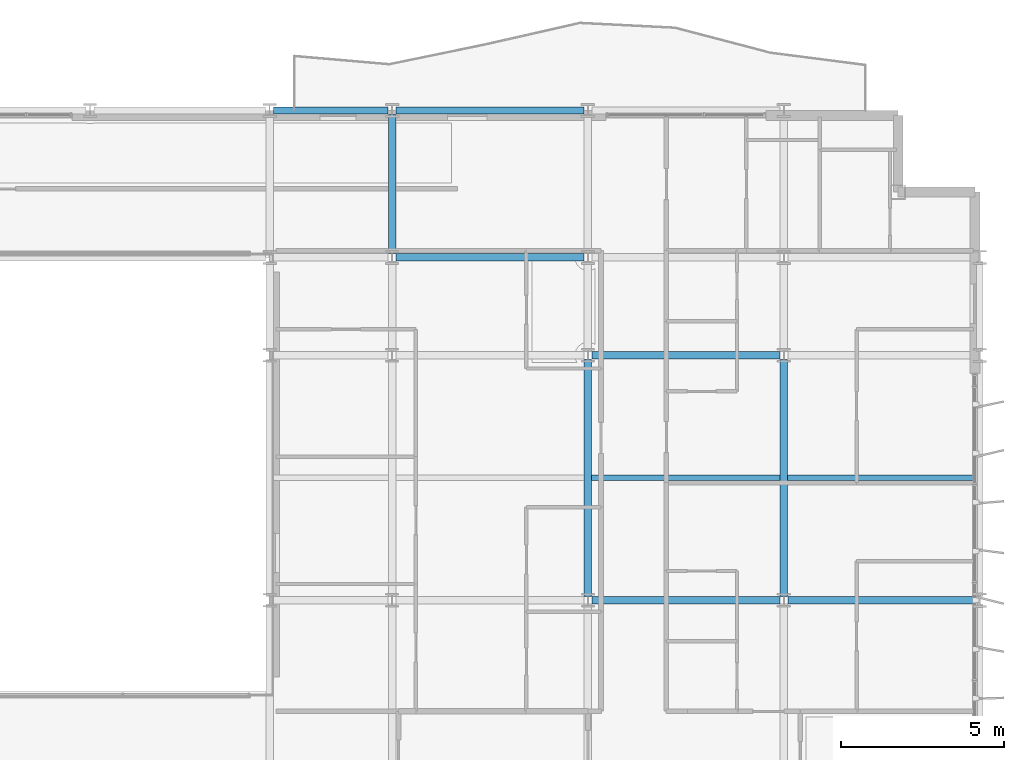
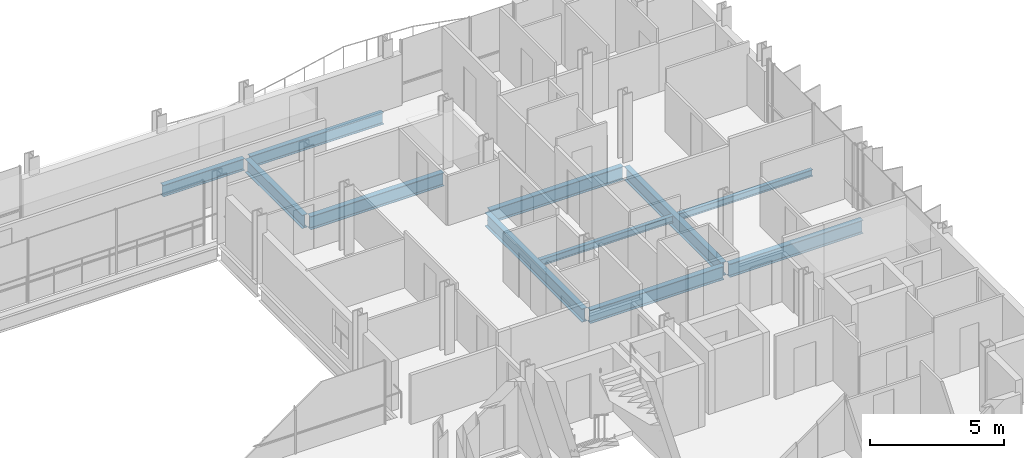
# One storey, part 18 of 39: 11 beams.
"""IFC4 building model written with IfcOpenShell, lengths in metres."""

from ifc_helpers import new_model, si_unit, direction, frame, origin, origin_2d, place, context, subcontext, project, spatial, i_section, extrude, material, material_profile, profile_set, type_object, element, save


model = new_model("IFC4")

# Units and contexts
model_context = context("Model", 3, precision=1e-05, world=origin(), true_north=direction((0.0, 1.0)))
body_context = subcontext(model_context, "Body", "Model", "MODEL_VIEW")
ifc_project = project(units=[si_unit("LENGTHUNIT", "METRE"), si_unit("AREAUNIT", "SQUARE_METRE"), si_unit("VOLUMEUNIT", "CUBIC_METRE"), si_unit("PLANEANGLEUNIT", "RADIAN"), si_unit("MASSUNIT", "GRAM", prefix="KILO")], contexts=[model_context])

# Site, building, storey
site_placement = place(None, origin())
site = spatial("IfcSite", under=ifc_project, at=site_placement, CompositionType="ELEMENT")
building_placement = place(site_placement, origin())
building = spatial("IfcBuilding", under=site, at=building_placement, Name="Brevholm Reach", CompositionType="ELEMENT")
storey_placement = place(building_placement, frame((0.0, 0.0, 109.699951171875)))
storey = spatial("IfcBuildingStorey", under=building, at=storey_placement, Name="L32", CompositionType="ELEMENT", Elevation=109.699951171875)

# Beams
ifc_material_1 = material(Name="Structural Steel S355J2", Category="steel")
ifc_material_profile_1 = material_profile(ifc_material_1, i_section(OverallWidth=0.1650390625, OverallDepth=0.303466796875, WebThickness=0.006103515625, FlangeThickness=0.01025390625, FilletRadius=0.0087890625, at=origin_2d()), Name="UKB 305x165x40")
ifc_profile_set_1 = profile_set([ifc_material_profile_1], Name="Structural Steel S355J2")
beam_type_1 = type_object("IfcBeamType", Name="BM-B305", PredefinedType="BEAM", material=ifc_profile_set_1)
beam_1_placement = place(storey_placement, frame((48.114501953125, 19.75, -0.37158203125), z_axis=(1.0, 0.0, 0.0), x_axis=(0.0, 1.0, 0.0)))
element("IfcBeam", 1, at=beam_1_placement, inside=storey, type_object=beam_type_1, Name="L32 Composite Secondary Floor Beam", PredefinedType="BEAM", context=body_context, shape_type="SweptSolid", body=[
    extrude(i_section(OverallWidth=0.1650390625, OverallDepth=0.303466796875, WebThickness=0.006103515625, FlangeThickness=0.01025390625, FilletRadius=0.0087890625, at=origin_2d()), origin(), (0.0, 0.0, 1.0), 5.77099609375),
])
beam_2_placement = place(storey_placement, frame((54.114501953125, 19.75, -0.37158203125), z_axis=(1.0, 0.0, 0.0), x_axis=(0.0, 1.0, 0.0)))
element("IfcBeam", 2, at=beam_2_placement, inside=storey, type_object=beam_type_1, Name="L32 Composite Secondary Floor Beam", PredefinedType="BEAM", context=body_context, shape_type="SweptSolid", body=[
    extrude(i_section(OverallWidth=0.1650390625, OverallDepth=0.303466796875, WebThickness=0.006103515625, FlangeThickness=0.01025390625, FilletRadius=0.0087890625, at=origin_2d()), origin(), (0.0, 0.0, 1.0), 5.78076171875),
])
ifc_material_2 = material(Name="Structural Steel S355J2", Category="steel")
ifc_material_profile_2 = material_profile(ifc_material_2, i_section(OverallWidth=0.209228515625, OverallDepth=0.533203125, WebThickness=0.010009765625, FlangeThickness=0.015625, FilletRadius=0.0126953125, at=origin_2d()), Name="UKB 533x210x92")
ifc_profile_set_2 = profile_set([ifc_material_profile_2], Name="Structural Steel S355J2")
beam_type_2 = type_object("IfcBeamType", Name="BM-SP533", PredefinedType="SPANDREL", material=ifc_profile_set_2)
beam_3_placement = place(storey_placement, frame((38.3701171875, 31.0, -0.486572265625), z_axis=(1.0, 0.0, 0.0), x_axis=(0.0, 1.0, 0.0)))
element("IfcBeam", 3, at=beam_3_placement, inside=storey, type_object=beam_type_2, Name="L32 SP-02 Framing Beam", PredefinedType="SPANDREL", context=body_context, shape_type="SweptSolid", body=[
    extrude(i_section(OverallWidth=0.209228515625, OverallDepth=0.533203125, WebThickness=0.010009765625, FlangeThickness=0.015625, FilletRadius=0.0126953125, at=origin_2d()), origin(), (0.0, 0.0, 1.0), 3.509765625),
])
beam_4_placement = place(storey_placement, frame((42.1201171875, 31.0, -0.486572265625), z_axis=(1.0, 0.0, 0.0), x_axis=(0.0, 1.0, 0.0)))
element("IfcBeam", 4, at=beam_4_placement, inside=storey, type_object=beam_type_2, Name="L32 SP-02 Framing Beam", PredefinedType="SPANDREL", context=body_context, shape_type="SweptSolid", body=[
    extrude(i_section(OverallWidth=0.209228515625, OverallDepth=0.533203125, WebThickness=0.010009765625, FlangeThickness=0.015625, FilletRadius=0.0126953125, at=origin_2d()), origin(), (0.0, 0.0, 1.0), 5.759765625),
])
ifc_material_3 = material(Name="Structural Steel S355J2", Category="steel")
ifc_material_profile_3 = material_profile(ifc_material_3, i_section(OverallWidth=0.22900390625, OverallDepth=0.6123046875, WebThickness=0.011962890625, FlangeThickness=0.01953125, FilletRadius=0.0126953125, at=origin_2d()), Name="UKB 610x229x125")
ifc_profile_set_3 = profile_set([ifc_material_profile_3], Name="Structural Steel S355J2")
beam_type_3 = type_object("IfcBeamType", Name="BM-SP610", PredefinedType="SPANDREL", material=ifc_profile_set_3)
for number, where, z_axis, x_axis, name in (
    (5, (48.1201171875, 16.0, -0.526123046875), (1.0, 0.0, 0.0), (0.0, 1.0, 0.0), "L32 SP-01 Framing Beam"),
    (6, (54.1201171875, 16.0, -0.526123046875), (1.0, 0.0, 0.0), (0.0, 1.0, 0.0), "L32 SP-01 Framing Beam"),
    (7, (48.1201171875, 23.5, -0.526123046875), (1.0, 0.0, 0.0), (0.0, 1.0, 0.0), "L32 SP-01 Framing Beam"),
    (8, (42.1201171875, 26.5, -0.526123046875), (1.0, 0.0, 0.0), (0.0, 1.0, 0.0), "L32 SP-01 Framing Beam"),
):
    element("IfcBeam", number, at=place(storey_placement, frame(where, z_axis=z_axis, x_axis=x_axis)), inside=storey, type_object=beam_type_3, Name=name, PredefinedType="SPANDREL", context=body_context, shape_type="SweptSolid", body=[
        extrude(i_section(OverallWidth=0.22900390625, OverallDepth=0.6123046875, WebThickness=0.011962890625, FlangeThickness=0.01953125, FilletRadius=0.0126953125, at=origin_2d()), origin(), (0.0, 0.0, 1.0), 5.759765625),
    ])
beam_5_placement = place(storey_placement, frame((42.0, 26.6201171875, -0.526123046875), z_axis=(0.0, 1.0, 0.0), x_axis=(-1.0, 0.0, 0.0)))
element("IfcBeam", 9, at=beam_5_placement, inside=storey, type_object=beam_type_3, Name="L32 SP-01 Framing Beam", PredefinedType="SPANDREL", context=body_context, shape_type="SweptSolid", body=[
    extrude(i_section(OverallWidth=0.22900390625, OverallDepth=0.6123046875, WebThickness=0.011962890625, FlangeThickness=0.01953125, FilletRadius=0.0126953125, at=origin_2d()), origin(), (0.0, 0.0, 1.0), 4.259765625),
])
for number, where, z_axis, x_axis, name in (
    (10, (48.0, 16.1201171875, -0.526123046875), (0.0, 1.0, 0.0), (-1.0, 0.0, 0.0), "L32 SP-01 Framing Beam"),
    (11, (54.0, 16.1201171875, -0.526123046875), (0.0, 1.0, 0.0), (-1.0, 0.0, 0.0), "L32 SP-01 Framing Beam"),
):
    element("IfcBeam", number, at=place(storey_placement, frame(where, z_axis=z_axis, x_axis=x_axis)), inside=storey, type_object=beam_type_3, Name=name, PredefinedType="SPANDREL", context=body_context, shape_type="SweptSolid", body=[
        extrude(i_section(OverallWidth=0.22900390625, OverallDepth=0.6123046875, WebThickness=0.011962890625, FlangeThickness=0.01953125, FilletRadius=0.0126953125, at=origin_2d()), origin(), (0.0, 0.0, 1.0), 7.259765625),
    ])

save(model, "model.ifc")
